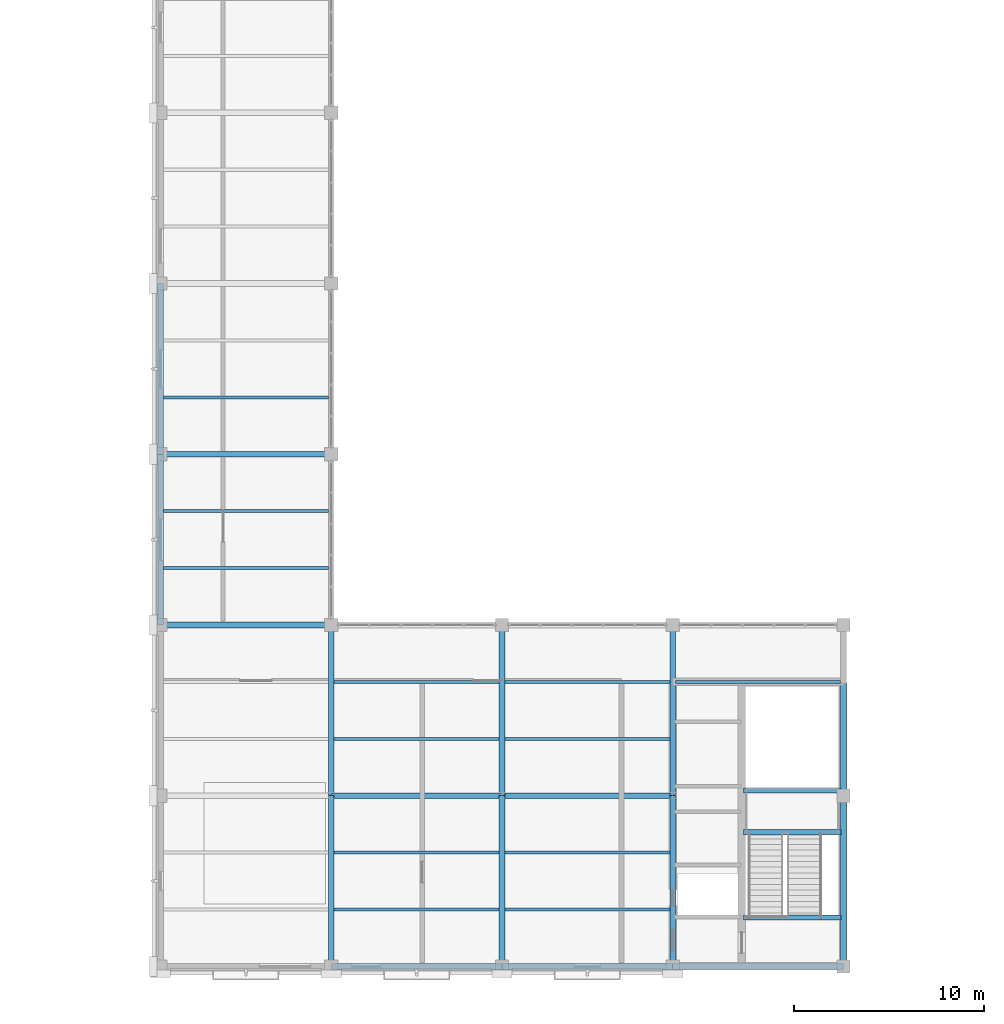
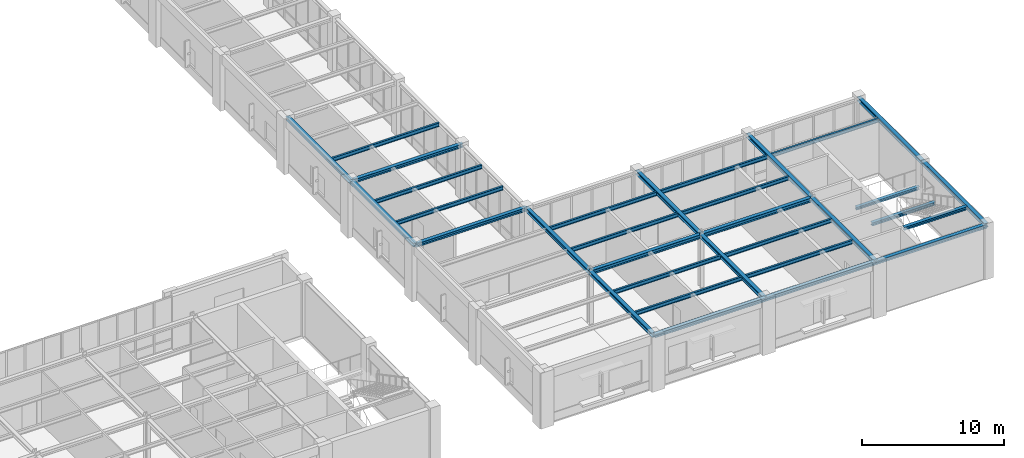
# One storey, part 29 of 98: 32 beams.
"""IFC4 building model written with IfcOpenShell, lengths in metres."""

from ifc_helpers import new_model, si_unit, direction, frame, origin, origin_2d, place, context, subcontext, project, spatial, i_section, extrude, material, material_profile, profile_set, type_object, element, save


model = new_model("IFC4")

# Units and contexts
model_context = context("Model", 3, precision=1e-05, world=origin(), true_north=direction((0.0, 1.0)))
body_context = subcontext(model_context, "Body", "Model", "MODEL_VIEW")
ifc_project = project(units=[si_unit("LENGTHUNIT", "METRE"), si_unit("AREAUNIT", "SQUARE_METRE"), si_unit("VOLUMEUNIT", "CUBIC_METRE"), si_unit("PLANEANGLEUNIT", "RADIAN"), si_unit("MASSUNIT", "GRAM", prefix="KILO")], contexts=[model_context])

# Site, building, storey
site_placement = place(None, origin())
site = spatial("IfcSite", under=ifc_project, at=site_placement, CompositionType="ELEMENT")
building_placement = place(site_placement, origin())
building = spatial("IfcBuilding", under=site, at=building_placement, Name="Lykobir Media Centre", CompositionType="ELEMENT")
storey_placement = place(building_placement, frame((0.0, 0.0, 10.199951171875)))
storey = spatial("IfcBuildingStorey", under=building, at=storey_placement, Name="L02", CompositionType="ELEMENT", Elevation=10.199951171875)

# Beams
ifc_material = material(Name="Steel S355", Category="steel")
ifc_material_profile_1 = material_profile(ifc_material, i_section(OverallWidth=0.300048828125, OverallDepth=0.330078125, WebThickness=0.009521484375, FlangeThickness=0.0166015625, at=origin_2d()), Name="HEA 340")
ifc_profile_set_1 = profile_set([ifc_material_profile_1], Name="Steel S355")
beam_type_1 = type_object("IfcBeamType", Name="BM-HEA340", PredefinedType="BEAM", material=ifc_profile_set_1)
for number, where, z_axis, x_axis, name in (
    (1, (99.0, 0.0, 4.39501953125), (0.0, 1.0, 0.0), (-1.0, 0.0, 0.0), "Beam BM-L02-0990-0000-0990-0090-1460"),
    (2, (99.0, 9.0, 4.39501953125), (0.0, 1.0, 0.0), (-1.0, 0.0, 0.0), "Beam BM-L02-0990-0090-0990-0180-1460"),
    (3, (108.0, 0.0, 4.39501953125), (0.0, 1.0, 0.0), (-1.0, 0.0, 0.0), "Beam BM-L02-1080-0000-1080-0090-1460"),
    (4, (108.0, 9.0, 4.39501953125), (0.0, 1.0, 0.0), (-1.0, 0.0, 0.0), "Beam BM-L02-1080-0090-1080-0180-1460"),
    (5, (117.0, 0.0, 4.39501953125), (0.0, 1.0, 0.0), (-1.0, 0.0, 0.0), "Beam BM-L02-1170-0000-1170-0090-1460"),
    (6, (117.0, 9.0, 4.39501953125), (0.0, 1.0, 0.0), (-1.0, 0.0, 0.0), "Beam BM-L02-1170-0090-1170-0180-1460"),
    (7, (126.0, 0.0, 4.39501953125), (0.0, 1.0, 0.0), (-1.0, 0.0, 0.0), "Beam BM-L02-1260-0000-1260-0090-1460"),
    (8, (126.0, 9.0, 4.39501953125), (0.0, 1.0, 0.0), (-1.0, 0.0, 0.0), "Beam BM-L02-1260-0090-1260-0180-1460"),
):
    element("IfcBeam", number, at=place(storey_placement, frame(where, z_axis=z_axis, x_axis=x_axis)), inside=storey, type_object=beam_type_1, Name=name, PredefinedType="BEAM", context=body_context, shape_type="SweptSolid", body=[
        extrude(i_section(OverallWidth=0.300048828125, OverallDepth=0.330078125, WebThickness=0.009521484375, FlangeThickness=0.0166015625, at=origin_2d()), origin(), (0.0, 0.0, 1.0), 9.0),
    ])
ifc_material_profile_2 = material_profile(ifc_material, i_section(OverallWidth=0.300048828125, OverallDepth=0.35009765625, WebThickness=0.010009765625, FlangeThickness=0.017578125, at=origin_2d()), Name="HEA 360")
ifc_profile_set_2 = profile_set([ifc_material_profile_2], Name="Steel S355")
beam_type_2 = type_object("IfcBeamType", Name="BM-HEA360", PredefinedType="BEAM", material=ifc_profile_set_2)
for number, where, z_axis, x_axis, name in (
    (9, (99.0, 9.0, 4.385009765625), (1.0, 0.0, 0.0), (0.0, 1.0, 0.0), "Beam BM-L02-0990-0090-1080-0090-1458"),
    (10, (108.0, 9.0, 4.385009765625), (1.0, 0.0, 0.0), (0.0, 1.0, 0.0), "Beam BM-L02-1080-0090-1170-0090-1458"),
):
    element("IfcBeam", number, at=place(storey_placement, frame(where, z_axis=z_axis, x_axis=x_axis)), inside=storey, type_object=beam_type_2, Name=name, PredefinedType="BEAM", context=body_context, shape_type="SweptSolid", body=[
        extrude(i_section(OverallWidth=0.300048828125, OverallDepth=0.35009765625, WebThickness=0.010009765625, FlangeThickness=0.017578125, at=origin_2d()), origin(), (0.0, 0.0, 1.0), 9.0),
    ])
ifc_material_profile_3 = material_profile(ifc_material, i_section(OverallWidth=0.260009765625, OverallDepth=0.25, WebThickness=0.007568359375, FlangeThickness=0.012451171875, at=origin_2d()), Name="HEA 260")
ifc_profile_set_3 = profile_set([ifc_material_profile_3], Name="Steel S355")
beam_type_3 = type_object("IfcBeamType", Name="BM-ST260", PredefinedType="BEAM", material=ifc_profile_set_3)
beam_placement = place(storey_placement, frame((120.72998046875, 9.280029296875, 2.090087890625), z_axis=(1.0, 0.0, 0.0), x_axis=(0.0, 1.0, 0.0)))
element("IfcBeam", 11, at=beam_placement, inside=storey, type_object=beam_type_3, Name="ST-5 L02 half-landing support beam", PredefinedType="BEAM", context=body_context, shape_type="SweptSolid", body=[
    extrude(i_section(OverallWidth=0.260009765625, OverallDepth=0.25, WebThickness=0.007568359375, FlangeThickness=0.012451171875, at=origin_2d()), origin(), (0.0, 0.0, 1.0), 5.14013671875),
])
ifc_material_profile_4 = material_profile(ifc_material, i_section(OverallWidth=0.280029296875, OverallDepth=0.27001953125, WebThickness=0.008056640625, FlangeThickness=0.012939453125, at=origin_2d()), Name="HEA 280")
ifc_profile_set_4 = profile_set([ifc_material_profile_4], Name="Steel S355")
beam_type_4 = type_object("IfcBeamType", Name="BM-ST280", PredefinedType="BEAM", material=ifc_profile_set_4)
for number, where, z_axis, x_axis, name in (
    (12, (120.72998046875, 2.580078125, 4.425048828125), (1.0, 0.0, 0.0), (0.0, 1.0, 0.0), "ST-5 L02 arrival trimmer beam"),
    (13, (120.72998046875, 7.080078125, 2.080078125), (1.0, 0.0, 0.0), (0.0, 1.0, 0.0), "ST-5 L02 mid-landing trimmer beam"),
):
    element("IfcBeam", number, at=place(storey_placement, frame(where, z_axis=z_axis, x_axis=x_axis)), inside=storey, type_object=beam_type_4, Name=name, PredefinedType="BEAM", context=body_context, shape_type="SweptSolid", body=[
        extrude(i_section(OverallWidth=0.280029296875, OverallDepth=0.27001953125, WebThickness=0.008056640625, FlangeThickness=0.012939453125, at=origin_2d()), origin(), (0.0, 0.0, 1.0), 5.14013671875),
    ])
ifc_material_profile_5 = material_profile(ifc_material, i_section(OverallWidth=0.159912109375, OverallDepth=0.330078125, WebThickness=0.007568359375, FlangeThickness=0.011474609375, at=origin_2d()), Name="IPE 330")
ifc_profile_set_5 = profile_set([ifc_material_profile_5], Name="Steel S355")
beam_type_5 = type_object("IfcBeamType", Name="JS-IPE330", PredefinedType="JOIST", material=ifc_profile_set_5)
for number, where, z_axis, x_axis, name in (
    (14, (90.14990234375, 21.0, 4.39501953125), (1.0, 0.0, 0.0), (0.0, 1.0, 0.0), "Beam BM-L02-0902-0210-0988-0210-1460"),
    (15, (90.14990234375, 24.0, 4.39501953125), (1.0, 0.0, 0.0), (0.0, 1.0, 0.0), "Beam BM-L02-0902-0240-0988-0240-1460"),
    (16, (90.14990234375, 30.0, 4.39501953125), (1.0, 0.0, 0.0), (0.0, 1.0, 0.0), "Beam BM-L02-0902-0300-0988-0300-1460"),
    (17, (99.14990234375, 3.0, 4.39501953125), (1.0, 0.0, 0.0), (0.0, 1.0, 0.0), "Beam BM-L02-0992-0030-1078-0030-1460"),
    (18, (99.14990234375, 6.0, 4.39501953125), (1.0, 0.0, 0.0), (0.0, 1.0, 0.0), "Beam BM-L02-0992-0060-1078-0060-1460"),
    (19, (99.14990234375, 12.0, 4.39501953125), (1.0, 0.0, 0.0), (0.0, 1.0, 0.0), "Beam BM-L02-0992-0120-1078-0120-1460"),
    (20, (99.14990234375, 15.0, 4.39501953125), (1.0, 0.0, 0.0), (0.0, 1.0, 0.0), "Beam BM-L02-0992-0150-1078-0150-1460"),
    (21, (108.14990234375, 3.0, 4.39501953125), (1.0, 0.0, 0.0), (0.0, 1.0, 0.0), "Beam BM-L02-1082-0030-1168-0030-1460"),
    (22, (108.14990234375, 6.0, 4.39501953125), (1.0, 0.0, 0.0), (0.0, 1.0, 0.0), "Beam BM-L02-1082-0060-1168-0060-1460"),
    (23, (108.14990234375, 12.0, 4.39501953125), (1.0, 0.0, 0.0), (0.0, 1.0, 0.0), "Beam BM-L02-1082-0120-1168-0120-1460"),
    (24, (108.14990234375, 15.0, 4.39501953125), (1.0, 0.0, 0.0), (0.0, 1.0, 0.0), "Beam BM-L02-1082-0150-1168-0150-1460"),
    (25, (117.14990234375, 15.0, 4.39501953125), (1.0, 0.0, 0.0), (0.0, 1.0, 0.0), "Beam BM-L02-1172-0150-1258-0150-1460"),
):
    element("IfcBeam", number, at=place(storey_placement, frame(where, z_axis=z_axis, x_axis=x_axis)), inside=storey, type_object=beam_type_5, Name=name, PredefinedType="JOIST", context=body_context, shape_type="SweptSolid", body=[
        extrude(i_section(OverallWidth=0.159912109375, OverallDepth=0.330078125, WebThickness=0.007568359375, FlangeThickness=0.011474609375, at=origin_2d()), origin(), (0.0, 0.0, 1.0), 8.7001953125),
    ])
ifc_material_profile_6 = material_profile(ifc_material, i_section(OverallWidth=0.300048828125, OverallDepth=0.31005859375, WebThickness=0.009033203125, FlangeThickness=0.015380859375, at=origin_2d()), Name="HEA 320")
ifc_profile_set_6 = profile_set([ifc_material_profile_6], Name="Steel S355")
beam_type_6 = type_object("IfcBeamType", Name="SP-HEA320", PredefinedType="SPANDREL", material=ifc_profile_set_6)
for number, where, z_axis, x_axis, name in (
    (26, (90.0, 18.0, 4.405029296875), (1.0, 0.0, 0.0), (0.0, 1.0, 0.0), "Beam BM-L02-0900-0180-0990-0180-1460"),
    (27, (90.0, 27.0, 4.405029296875), (1.0, 0.0, 0.0), (0.0, 1.0, 0.0), "Beam BM-L02-0900-0270-0990-0270-1460"),
):
    element("IfcBeam", number, at=place(storey_placement, frame(where, z_axis=z_axis, x_axis=x_axis)), inside=storey, type_object=beam_type_6, Name=name, PredefinedType="SPANDREL", context=body_context, shape_type="SweptSolid", body=[
        extrude(i_section(OverallWidth=0.300048828125, OverallDepth=0.31005859375, WebThickness=0.009033203125, FlangeThickness=0.015380859375, at=origin_2d()), origin(), (0.0, 0.0, 1.0), 9.0),
    ])
ifc_material_profile_7 = material_profile(ifc_material, i_section(OverallWidth=0.300048828125, OverallDepth=0.31005859375, WebThickness=0.009033203125, FlangeThickness=0.015380859375, at=origin_2d()), Name="HEA 320")
ifc_profile_set_7 = profile_set([ifc_material_profile_7], Name="Steel S355")
beam_type_7 = type_object("IfcBeamType", Name="SP-HEA320-E", PredefinedType="SPANDREL", material=ifc_profile_set_7)
for number, where, z_axis, x_axis, name in (
    (28, (99.0, 0.0, 4.405029296875), (1.0, 0.0, 0.0), (0.0, 1.0, 0.0), "Beam BM-L02-0990-0000-1080-0000-1460"),
    (29, (108.0, 0.0, 4.405029296875), (1.0, 0.0, 0.0), (0.0, 1.0, 0.0), "Beam BM-L02-1080-0000-1170-0000-1460"),
    (30, (117.0, 0.0, 4.405029296875), (1.0, 0.0, 0.0), (0.0, 1.0, 0.0), "Beam BM-L02-1170-0000-1260-0000-1460"),
    (31, (90.0, 18.0, 4.405029296875), (0.0, 1.0, 0.0), (-1.0, 0.0, 0.0), "Beam BM-L02-0900-0180-0900-0270-1460"),
    (32, (90.0, 27.0, 4.405029296875), (0.0, 1.0, 0.0), (-1.0, 0.0, 0.0), "Beam BM-L02-0900-0270-0900-0360-1460"),
):
    element("IfcBeam", number, at=place(storey_placement, frame(where, z_axis=z_axis, x_axis=x_axis)), inside=storey, type_object=beam_type_7, Name=name, PredefinedType="SPANDREL", context=body_context, shape_type="SweptSolid", body=[
        extrude(i_section(OverallWidth=0.300048828125, OverallDepth=0.31005859375, WebThickness=0.009033203125, FlangeThickness=0.015380859375, at=origin_2d()), origin(), (0.0, 0.0, 1.0), 9.0),
    ])

save(model, "model.ifc")
